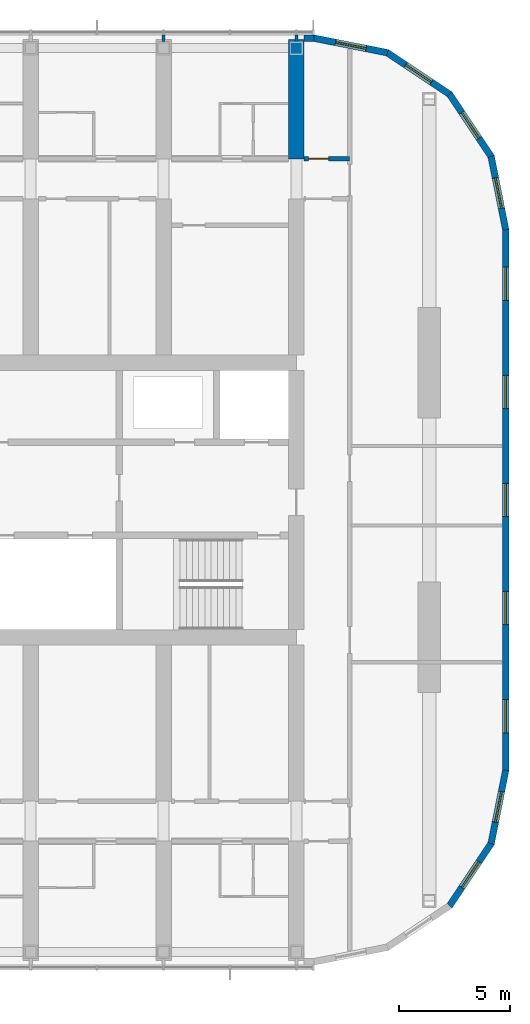
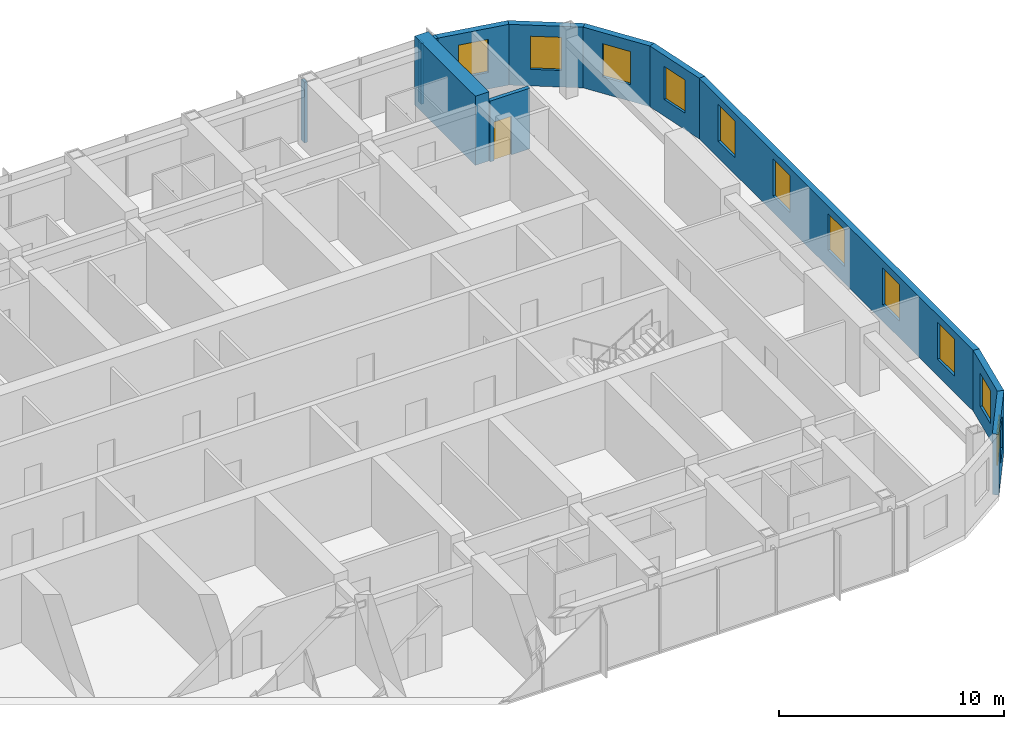
# One storey, part 18 of 23: 12 walls, 11 windows, 1 door, 12 openings.
"""IFC4 building model written with IfcOpenShell, lengths in metres."""

from ifc_helpers import new_model, si_unit, direction, frame, frame_2d, origin, place, context, subcontext, project, spatial, polyline, rectangle, outline, extrude, material, layer, layer_set, type_object, element, fill, save


model = new_model("IFC4")

# Units and contexts
model_context = context("Model", 3, precision=1e-05, world=origin(), true_north=direction((0.0, 1.0)))
body_context = subcontext(model_context, "Body", "Model", "MODEL_VIEW")
ifc_project = project(units=[si_unit("LENGTHUNIT", "METRE"), si_unit("AREAUNIT", "SQUARE_METRE"), si_unit("VOLUMEUNIT", "CUBIC_METRE"), si_unit("PLANEANGLEUNIT", "RADIAN"), si_unit("MASSUNIT", "GRAM", prefix="KILO")], contexts=[model_context])

# Site, building, storey
site_placement = place(None, origin())
site = spatial("IfcSite", under=ifc_project, at=site_placement, CompositionType="ELEMENT")
building_placement = place(site_placement, origin())
building = spatial("IfcBuilding", under=site, at=building_placement, Name="Orbita Commons", CompositionType="ELEMENT")
storey_placement = place(building_placement, frame((0.0, 0.0, 227.800048828125)))
storey = spatial("IfcBuildingStorey", under=building, at=storey_placement, Name="L56", CompositionType="ELEMENT", Elevation=227.800048828125)

# Wall, opening, door
ifc_material_1 = material(Name="Concrete blockwork", Category="masonry")
ifc_layer_1 = layer(ifc_material_1, 0.199951171875)
ifc_layer_set_1 = layer_set([ifc_layer_1], Name="Concrete blockwork")
wall_type_1 = type_object("IfcWallType", Name="Corridor wall 200 blockwork", PredefinedType="SOLIDWALL", material=ifc_layer_set_1)
wall_1_placement = place(storey_placement, frame((66.35009765625, 47.39990234375, 0.0), z_axis=(0.0, 0.0, 1.0), x_axis=(1.0, 0.0, 0.0)))
wall_1 = element("IfcWall", 1, at=wall_1_placement, inside=storey, type_object=wall_type_1, Name="Corridor wall 200 blockwork L56", PredefinedType="SOLIDWALL", context=body_context, shape_type="SweptSolid", body=[
    extrude(rectangle(XDim=2.0498046875, YDim=0.199951171875, at=frame_2d((1.02490234375, 0.0))), origin(), (0.0, 0.0, 1.0), 3.300048828125),
])
opening_1_placement = place(wall_1_placement, frame((0.199951171875, 0.0, 0.0)))
opening_1 = element("IfcOpeningElement", 2, at=opening_1_placement, cuts=wall_1, Name="Opening D05", PredefinedType="OPENING", context=body_context, shape_type="SweptSolid", body=[
    extrude(rectangle(XDim=0.89990234375, YDim=2.10009765625, at=frame_2d((0.449951171875, 1.050048828125))), frame((0.0, 0.10986328125, 0.0), z_axis=(0.0, -1.0, 0.0), x_axis=(1.0, 0.0, 0.0)), (0.0, 0.0, 1.0), 0.219970703125),
])
ifc_material_2 = material(Name="Steel-faced fire door leaf", Category="steel")
door_type = type_object("IfcDoorType", Name="Service door 20 min 900x2100", OperationType="SINGLE_SWING_LEFT", PredefinedType="DOOR", material=ifc_material_2)
door_placement = place(opening_1_placement, origin())
door = element("IfcDoor", 3, at=door_placement, inside=storey, type_object=door_type, Name="Linen store L56-KEN door", OperationType="SINGLE_SWING_LEFT", OverallHeight=2.10009765625, OverallWidth=0.89990234375, PredefinedType="DOOR", context=body_context, shape_type="SweptSolid", body=[
    extrude(rectangle(XDim=0.89990234375, YDim=2.10009765625, at=frame_2d((0.449951171875, 1.050048828125))), frame((0.0, 0.02490234375, 0.0), z_axis=(0.0, -1.0, 0.0), x_axis=(1.0, 0.0, 0.0)), (0.0, 0.0, 1.0), 0.050048828125),
])
fill(opening_1, door)

# Walls
ifc_material_3 = material(Name="Concrete C50/60", Category="concrete")
ifc_layer_2 = layer(ifc_material_3, 0.699951171875)
ifc_layer_set_2 = layer_set([ifc_layer_2], Name="Concrete C50/60")
wall_type_2 = type_object("IfcWallType", Name="Cross wall 700 C50/60", PredefinedType="SHEAR", material=ifc_layer_set_2)
wall_2_placement = place(storey_placement, frame((66.0, 47.39990234375, 0.0), z_axis=(0.0, 0.0, 1.0), x_axis=(0.0, 1.0, 0.0)))
element("IfcWall", 4, at=wall_2_placement, inside=storey, type_object=wall_type_2, Name="Cross wall 12 north outer L56", PredefinedType="SHEAR", context=body_context, shape_type="SweptSolid", body=[
    extrude(rectangle(XDim=5.400146484375, YDim=0.699951171875, at=frame_2d((2.7001953125, 0.0))), origin(), (0.0, 0.0, 1.0), 3.75),
])
ifc_material_4 = material(Name="Gypsum plasterboard on steel studs", Category="steel")
ifc_layer_3 = layer(ifc_material_4, 0.14990234375)
ifc_layer_set_3 = layer_set([ifc_layer_3], Name="Gypsum plasterboard on steel studs")
wall_type_3 = type_object("IfcWallType", Name="Partition 150 plasterboard", PredefinedType="PARTITIONING", material=ifc_layer_set_3)
for number, where, z_axis, x_axis, name in (
    (5, (60.0, 52.699951171875, 0.0), (0.0, 0.0, 1.0), (0.0, 1.0, 0.0), "Partition 150 plasterboard L56"),
    (6, (66.0, 52.699951171875, 0.0), (0.0, 0.0, 1.0), (0.0, 1.0, 0.0), "Partition 150 plasterboard L56"),
):
    element("IfcWall", number, at=place(storey_placement, frame(where, z_axis=z_axis, x_axis=x_axis)), inside=storey, type_object=wall_type_3, Name=name, PredefinedType="PARTITIONING", context=body_context, shape_type="SweptSolid", body=[
        extrude(rectangle(XDim=0.2900390625, YDim=0.14990234375, at=frame_2d((0.14501953125, 0.0))), origin(), (0.0, 0.0, 1.0), 3.300048828125),
    ])

# Wall, openings, windows
ifc_material_5 = material(Name="Precast concrete C40/50, white board-marked finish", Category="concrete")
ifc_layer_4 = layer(ifc_material_5, 0.300048828125)
ifc_layer_set_4 = layer_set([ifc_layer_4], Name="Precast concrete C40/50, white board-marked finish")
wall_type_4 = type_object("IfcWallType", Name="Precast concrete end shield 300", PredefinedType="SOLIDWALL", material=ifc_layer_set_4)
wall_3_placement = place(storey_placement, frame((75.449951171875, 19.800048828125, 0.0), z_axis=(0.0, 0.0, 1.0), x_axis=(0.0, 1.0, 0.0)))
wall_3 = element("IfcWall", 7, at=wall_3_placement, inside=storey, type_object=wall_type_4, Name="End shield E L56", PredefinedType="SOLIDWALL", context=body_context, shape_type="SweptSolid", body=[
    extrude(outline(polyline([(-0.014892578125, -0.14990234375), (24.414794921875, -0.14990234375), (24.385009765625, 0.14990234375), (0.014892578125, 0.14990234375), (-0.014892578125, -0.14990234375)])), origin(), (0.0, 0.0, 1.0), 3.300048828125),
])
opening_2_placement = place(wall_3_placement, frame((1.68994140625, 0.0, 0.89990234375)))
opening_2 = element("IfcOpeningElement", 8, at=opening_2_placement, cuts=wall_3, Name="Opening W01", PredefinedType="OPENING", context=body_context, shape_type="SweptSolid", body=[
    extrude(rectangle(XDim=1.5, YDim=2.0, at=frame_2d((0.75, 1.0))), frame((0.0, 0.159912109375, 0.0), z_axis=(0.0, -1.0, 0.0), x_axis=(1.0, 0.0, 0.0)), (0.0, 0.0, 1.0), 0.320068359375),
])
opening_3_placement = place(wall_3_placement, frame((6.570068359375, 0.0, 0.89990234375)))
opening_3 = element("IfcOpeningElement", 9, at=opening_3_placement, cuts=wall_3, Name="Opening W01", PredefinedType="OPENING", context=body_context, shape_type="SweptSolid", body=[
    extrude(rectangle(XDim=1.5, YDim=2.0, at=frame_2d((0.75, 1.0))), frame((0.0, 0.159912109375, 0.0), z_axis=(0.0, -1.0, 0.0), x_axis=(1.0, 0.0, 0.0)), (0.0, 0.0, 1.0), 0.320068359375),
])
opening_4_placement = place(wall_3_placement, frame((11.449951171875, 0.0, 0.89990234375)))
opening_4 = element("IfcOpeningElement", 10, at=opening_4_placement, cuts=wall_3, Name="Opening W01", PredefinedType="OPENING", context=body_context, shape_type="SweptSolid", body=[
    extrude(rectangle(XDim=1.5, YDim=2.0, at=frame_2d((0.75, 1.0))), frame((0.0, 0.159912109375, 0.0), z_axis=(0.0, -1.0, 0.0), x_axis=(1.0, 0.0, 0.0)), (0.0, 0.0, 1.0), 0.320068359375),
])
opening_5_placement = place(wall_3_placement, frame((16.330078125, 0.0, 0.89990234375)))
opening_5 = element("IfcOpeningElement", 11, at=opening_5_placement, cuts=wall_3, Name="Opening W01", PredefinedType="OPENING", context=body_context, shape_type="SweptSolid", body=[
    extrude(rectangle(XDim=1.5, YDim=2.0, at=frame_2d((0.75, 1.0))), frame((0.0, 0.159912109375, 0.0), z_axis=(0.0, -1.0, 0.0), x_axis=(1.0, 0.0, 0.0)), (0.0, 0.0, 1.0), 0.320068359375),
])
opening_6_placement = place(wall_3_placement, frame((21.2099609375, 0.0, 0.89990234375)))
opening_6 = element("IfcOpeningElement", 12, at=opening_6_placement, cuts=wall_3, Name="Opening W01", PredefinedType="OPENING", context=body_context, shape_type="SweptSolid", body=[
    extrude(rectangle(XDim=1.5, YDim=2.0, at=frame_2d((0.75, 1.0))), frame((0.0, 0.159912109375, 0.0), z_axis=(0.0, -1.0, 0.0), x_axis=(1.0, 0.0, 0.0)), (0.0, 0.0, 1.0), 0.320068359375),
])
ifc_material_6 = material(Name="Aluminium frame, clear double glazing", Category="aluminium")
window_type_1 = type_object("IfcWindowType", Name="Deep-set window 1500x2000", PartitioningType="SINGLE_PANEL", PredefinedType="WINDOW", material=ifc_material_6)
window_1_placement = place(opening_2_placement, origin())
window_1 = element("IfcWindow", 13, at=window_1_placement, inside=storey, type_object=window_type_1, Name="Window L56-E 1", OverallHeight=2.0, OverallWidth=1.5, PartitioningType="SINGLE_PANEL", PredefinedType="WINDOW", context=body_context, shape_type="SweptSolid", body=[
    extrude(rectangle(XDim=1.5, YDim=2.0, at=frame_2d((0.75, 1.0))), frame((0.0, 0.030029296875, 0.0), z_axis=(0.0, -1.0, 0.0), x_axis=(1.0, 0.0, 0.0)), (0.0, 0.0, 1.0), 0.06005859375),
])
fill(opening_2, window_1)
window_2_placement = place(opening_3_placement, origin())
window_2 = element("IfcWindow", 14, at=window_2_placement, inside=storey, type_object=window_type_1, Name="Window L56-E 2", OverallHeight=2.0, OverallWidth=1.5, PartitioningType="SINGLE_PANEL", PredefinedType="WINDOW", context=body_context, shape_type="SweptSolid", body=[
    extrude(rectangle(XDim=1.5, YDim=2.0, at=frame_2d((0.75, 1.0))), frame((0.0, 0.030029296875, 0.0), z_axis=(0.0, -1.0, 0.0), x_axis=(1.0, 0.0, 0.0)), (0.0, 0.0, 1.0), 0.06005859375),
])
fill(opening_3, window_2)
window_3_placement = place(opening_4_placement, origin())
window_3 = element("IfcWindow", 15, at=window_3_placement, inside=storey, type_object=window_type_1, Name="Window L56-E 3", OverallHeight=2.0, OverallWidth=1.5, PartitioningType="SINGLE_PANEL", PredefinedType="WINDOW", context=body_context, shape_type="SweptSolid", body=[
    extrude(rectangle(XDim=1.5, YDim=2.0, at=frame_2d((0.75, 1.0))), frame((0.0, 0.030029296875, 0.0), z_axis=(0.0, -1.0, 0.0), x_axis=(1.0, 0.0, 0.0)), (0.0, 0.0, 1.0), 0.06005859375),
])
fill(opening_4, window_3)
window_4_placement = place(opening_5_placement, origin())
window_4 = element("IfcWindow", 16, at=window_4_placement, inside=storey, type_object=window_type_1, Name="Window L56-E 4", OverallHeight=2.0, OverallWidth=1.5, PartitioningType="SINGLE_PANEL", PredefinedType="WINDOW", context=body_context, shape_type="SweptSolid", body=[
    extrude(rectangle(XDim=1.5, YDim=2.0, at=frame_2d((0.75, 1.0))), frame((0.0, 0.030029296875, 0.0), z_axis=(0.0, -1.0, 0.0), x_axis=(1.0, 0.0, 0.0)), (0.0, 0.0, 1.0), 0.06005859375),
])
fill(opening_5, window_4)
window_5_placement = place(opening_6_placement, origin())
window_5 = element("IfcWindow", 17, at=window_5_placement, inside=storey, type_object=window_type_1, Name="Window L56-E 5", OverallHeight=2.0, OverallWidth=1.5, PartitioningType="SINGLE_PANEL", PredefinedType="WINDOW", context=body_context, shape_type="SweptSolid", body=[
    extrude(rectangle(XDim=1.5, YDim=2.0, at=frame_2d((0.75, 1.0))), frame((0.0, 0.030029296875, 0.0), z_axis=(0.0, -1.0, 0.0), x_axis=(1.0, 0.0, 0.0)), (0.0, 0.0, 1.0), 0.06005859375),
])
fill(opening_6, window_5)

# Wall, opening, window
wall_4_placement = place(storey_placement, frame((72.91650390625, 13.68359375, 0.0), z_axis=(0.0, 0.0, 1.0), x_axis=(0.555567969291, 0.831471124873, 0.0)))
wall_4 = element("IfcWall", 18, at=wall_4_placement, inside=storey, type_object=wall_type_4, Name="End shield SE chord 3 L56", PredefinedType="SOLIDWALL", context=body_context, shape_type="SweptSolid", body=[
    extrude(outline(polyline([(-0.02978515625, -0.14990234375), (3.40478515625, -0.14990234375), (3.34521484375, 0.14990234375), (0.02978515625, 0.14990234375), (-0.02978515625, -0.14990234375)])), origin(), (0.0, 0.0, 1.0), 3.300048828125),
])
opening_7_placement = place(wall_4_placement, frame((0.987548828125, 0.0, 0.89990234375)))
opening_7 = element("IfcOpeningElement", 19, at=opening_7_placement, cuts=wall_4, Name="Opening W02", PredefinedType="OPENING", context=body_context, shape_type="SweptSolid", body=[
    extrude(rectangle(XDim=1.39990234375, YDim=1.800048828125, at=frame_2d((0.699951171875, 0.89990234375))), frame((0.0, 0.159912109375, 0.0), z_axis=(0.0, -1.0, 0.0), x_axis=(1.0, 0.0, 0.0)), (0.0, 0.0, 1.0), 0.320068359375),
])
ifc_material_7 = material(Name="Aluminium frame, clear double glazing", Category="aluminium")
window_type_2 = type_object("IfcWindowType", Name="Deep-set window 1400x1800", PartitioningType="SINGLE_PANEL", PredefinedType="WINDOW", material=ifc_material_7)
window_6_placement = place(opening_7_placement, origin())
window_6 = element("IfcWindow", 20, at=window_6_placement, inside=storey, type_object=window_type_2, Name="Window L56-SE2", OverallHeight=1.800048828125, OverallWidth=1.39990234375, PartitioningType="SINGLE_PANEL", PredefinedType="WINDOW", context=body_context, shape_type="SweptSolid", body=[
    extrude(rectangle(XDim=1.39990234375, YDim=1.800048828125, at=frame_2d((0.699951171875, 0.89990234375))), frame((0.0, 0.030029296875, 0.0), z_axis=(0.0, -1.0, 0.0), x_axis=(1.0, 0.0, 0.0)), (0.0, 0.0, 1.0), 0.06005859375),
])
fill(opening_7, window_6)

wall_5_placement = place(storey_placement, frame((74.79150390625, 16.48974609375, 0.0), z_axis=(0.0, 0.0, 1.0), x_axis=(0.19508664885, 0.980786011034, 0.0)))
wall_5 = element("IfcWall", 21, at=wall_5_placement, inside=storey, type_object=wall_type_4, Name="End shield SE chord 4 L56", PredefinedType="SOLIDWALL", context=body_context, shape_type="SweptSolid", body=[
    extrude(outline(polyline([(-0.02978515625, -0.14990234375), (3.39013671875, -0.14990234375), (3.3603515625, 0.14990234375), (0.02978515625, 0.14990234375), (-0.02978515625, -0.14990234375)])), origin(), (0.0, 0.0, 1.0), 3.300048828125),
])
opening_8_placement = place(wall_5_placement, frame((0.987548828125, 0.0, 0.89990234375)))
opening_8 = element("IfcOpeningElement", 22, at=opening_8_placement, cuts=wall_5, Name="Opening W02", PredefinedType="OPENING", context=body_context, shape_type="SweptSolid", body=[
    extrude(rectangle(XDim=1.39990234375, YDim=1.800048828125, at=frame_2d((0.699951171875, 0.89990234375))), frame((0.0, 0.159912109375, 0.0), z_axis=(0.0, -1.0, 0.0), x_axis=(1.0, 0.0, 0.0)), (0.0, 0.0, 1.0), 0.320068359375),
])
window_7_placement = place(opening_8_placement, origin())
window_7 = element("IfcWindow", 23, at=window_7_placement, inside=storey, type_object=window_type_2, Name="Window L56-SE3", OverallHeight=1.800048828125, OverallWidth=1.39990234375, PartitioningType="SINGLE_PANEL", PredefinedType="WINDOW", context=body_context, shape_type="SweptSolid", body=[
    extrude(rectangle(XDim=1.39990234375, YDim=1.800048828125, at=frame_2d((0.699951171875, 0.89990234375))), frame((0.0, 0.030029296875, 0.0), z_axis=(0.0, -1.0, 0.0), x_axis=(1.0, 0.0, 0.0)), (0.0, 0.0, 1.0), 0.06005859375),
])
fill(opening_8, window_7)

wall_6_placement = place(storey_placement, frame((75.449951171875, 44.199951171875, 0.0), z_axis=(0.0, 0.0, 1.0), x_axis=(-0.19508664885, 0.980786011034, 0.0)))
wall_6 = element("IfcWall", 24, at=wall_6_placement, inside=storey, type_object=wall_type_4, Name="End shield NE chord 1 L56", PredefinedType="SOLIDWALL", context=body_context, shape_type="SweptSolid", body=[
    extrude(outline(polyline([(-0.014892578125, -0.14990234375), (3.405029296875, -0.14990234375), (3.345458984375, 0.14990234375), (0.014892578125, 0.14990234375), (-0.014892578125, -0.14990234375)])), origin(), (0.0, 0.0, 1.0), 3.300048828125),
])
opening_9_placement = place(wall_6_placement, frame((0.987548828125, 0.0, 0.89990234375)))
opening_9 = element("IfcOpeningElement", 25, at=opening_9_placement, cuts=wall_6, Name="Opening W02", PredefinedType="OPENING", context=body_context, shape_type="SweptSolid", body=[
    extrude(rectangle(XDim=1.39990234375, YDim=1.800048828125, at=frame_2d((0.699951171875, 0.89990234375))), frame((0.0, 0.159912109375, 0.0), z_axis=(0.0, -1.0, 0.0), x_axis=(1.0, 0.0, 0.0)), (0.0, 0.0, 1.0), 0.320068359375),
])
window_8_placement = place(opening_9_placement, origin())
window_8 = element("IfcWindow", 26, at=window_8_placement, inside=storey, type_object=window_type_2, Name="Window L56-NE0", OverallHeight=1.800048828125, OverallWidth=1.39990234375, PartitioningType="SINGLE_PANEL", PredefinedType="WINDOW", context=body_context, shape_type="SweptSolid", body=[
    extrude(rectangle(XDim=1.39990234375, YDim=1.800048828125, at=frame_2d((0.699951171875, 0.89990234375))), frame((0.0, 0.030029296875, 0.0), z_axis=(0.0, -1.0, 0.0), x_axis=(1.0, 0.0, 0.0)), (0.0, 0.0, 1.0), 0.06005859375),
])
fill(opening_9, window_8)

wall_7_placement = place(storey_placement, frame((74.79150390625, 47.51025390625, 0.0), z_axis=(0.0, 0.0, 1.0), x_axis=(-0.555567969291, 0.831471124873, 0.0)))
wall_7 = element("IfcWall", 27, at=wall_7_placement, inside=storey, type_object=wall_type_4, Name="End shield NE chord 2 L56", PredefinedType="SOLIDWALL", context=body_context, shape_type="SweptSolid", body=[
    extrude(outline(polyline([(-0.02978515625, -0.14990234375), (3.40478515625, -0.14990234375), (3.34521484375, 0.14990234375), (0.02978515625, 0.14990234375), (-0.02978515625, -0.14990234375)])), origin(), (0.0, 0.0, 1.0), 3.300048828125),
])
opening_10_placement = place(wall_7_placement, frame((0.987548828125, 0.0, 0.89990234375)))
opening_10 = element("IfcOpeningElement", 28, at=opening_10_placement, cuts=wall_7, Name="Opening W02", PredefinedType="OPENING", context=body_context, shape_type="SweptSolid", body=[
    extrude(rectangle(XDim=1.39990234375, YDim=1.800048828125, at=frame_2d((0.699951171875, 0.89990234375))), frame((0.0, 0.159912109375, 0.0), z_axis=(0.0, -1.0, 0.0), x_axis=(1.0, 0.0, 0.0)), (0.0, 0.0, 1.0), 0.320068359375),
])
window_9_placement = place(opening_10_placement, origin())
window_9 = element("IfcWindow", 29, at=window_9_placement, inside=storey, type_object=window_type_2, Name="Window L56-NE1", OverallHeight=1.800048828125, OverallWidth=1.39990234375, PartitioningType="SINGLE_PANEL", PredefinedType="WINDOW", context=body_context, shape_type="SweptSolid", body=[
    extrude(rectangle(XDim=1.39990234375, YDim=1.800048828125, at=frame_2d((0.699951171875, 0.89990234375))), frame((0.0, 0.030029296875, 0.0), z_axis=(0.0, -1.0, 0.0), x_axis=(1.0, 0.0, 0.0)), (0.0, 0.0, 1.0), 0.06005859375),
])
fill(opening_10, window_9)

wall_8_placement = place(storey_placement, frame((72.91650390625, 50.31640625, 0.0), z_axis=(0.0, 0.0, 1.0), x_axis=(-0.831460037396, 0.555584562613, 0.0)))
wall_8 = element("IfcWall", 30, at=wall_8_placement, inside=storey, type_object=wall_type_4, Name="End shield NE chord 3 L56", PredefinedType="SOLIDWALL", context=body_context, shape_type="SweptSolid", body=[
    extrude(outline(polyline([(-0.02978515625, -0.14990234375), (3.405029296875, -0.14990234375), (3.345458984375, 0.14990234375), (0.02978515625, 0.14990234375), (-0.02978515625, -0.14990234375)])), origin(), (0.0, 0.0, 1.0), 3.300048828125),
])
opening_11_placement = place(wall_8_placement, frame((0.987548828125, 0.0, 0.89990234375)))
opening_11 = element("IfcOpeningElement", 31, at=opening_11_placement, cuts=wall_8, Name="Opening W02", PredefinedType="OPENING", context=body_context, shape_type="SweptSolid", body=[
    extrude(rectangle(XDim=1.39990234375, YDim=1.800048828125, at=frame_2d((0.699951171875, 0.89990234375))), frame((0.0, 0.159912109375, 0.0), z_axis=(0.0, -1.0, 0.0), x_axis=(1.0, 0.0, 0.0)), (0.0, 0.0, 1.0), 0.320068359375),
])
window_10_placement = place(opening_11_placement, origin())
window_10 = element("IfcWindow", 32, at=window_10_placement, inside=storey, type_object=window_type_2, Name="Window L56-NE2", OverallHeight=1.800048828125, OverallWidth=1.39990234375, PartitioningType="SINGLE_PANEL", PredefinedType="WINDOW", context=body_context, shape_type="SweptSolid", body=[
    extrude(rectangle(XDim=1.39990234375, YDim=1.800048828125, at=frame_2d((0.699951171875, 0.89990234375))), frame((0.0, 0.030029296875, 0.0), z_axis=(0.0, -1.0, 0.0), x_axis=(1.0, 0.0, 0.0)), (0.0, 0.0, 1.0), 0.06005859375),
])
fill(opening_11, window_10)

wall_9_placement = place(storey_placement, frame((70.110107421875, 52.191650390625, 0.0), z_axis=(0.0, 0.0, 1.0), x_axis=(-0.98078325777, 0.195100490205, 0.0)))
wall_9 = element("IfcWall", 33, at=wall_9_placement, inside=storey, type_object=wall_type_4, Name="End shield NE chord 4 L56", PredefinedType="SOLIDWALL", context=body_context, shape_type="SweptSolid", body=[
    extrude(outline(polyline([(-0.02978515625, -0.14990234375), (3.40478515625, -0.14990234375), (3.34521484375, 0.14990234375), (0.02978515625, 0.14990234375), (-0.02978515625, -0.14990234375)])), origin(), (0.0, 0.0, 1.0), 3.300048828125),
])
opening_12_placement = place(wall_9_placement, frame((0.987548828125, 0.0, 0.89990234375)))
opening_12 = element("IfcOpeningElement", 34, at=opening_12_placement, cuts=wall_9, Name="Opening W02", PredefinedType="OPENING", context=body_context, shape_type="SweptSolid", body=[
    extrude(rectangle(XDim=1.39990234375, YDim=1.800048828125, at=frame_2d((0.699951171875, 0.89990234375))), frame((0.0, 0.159912109375, 0.0), z_axis=(0.0, -1.0, 0.0), x_axis=(1.0, 0.0, 0.0)), (0.0, 0.0, 1.0), 0.320068359375),
])
window_11_placement = place(opening_12_placement, origin())
window_11 = element("IfcWindow", 35, at=window_11_placement, inside=storey, type_object=window_type_2, Name="Window L56-NE3", OverallHeight=1.800048828125, OverallWidth=1.39990234375, PartitioningType="SINGLE_PANEL", PredefinedType="WINDOW", context=body_context, shape_type="SweptSolid", body=[
    extrude(rectangle(XDim=1.39990234375, YDim=1.800048828125, at=frame_2d((0.699951171875, 0.89990234375))), frame((0.0, 0.030029296875, 0.0), z_axis=(0.0, -1.0, 0.0), x_axis=(1.0, 0.0, 0.0)), (0.0, 0.0, 1.0), 0.06005859375),
])
fill(opening_12, window_11)

# Wall
wall_10_placement = place(storey_placement, frame((66.800048828125, 52.85009765625, 0.0), z_axis=(0.0, 0.0, 1.0), x_axis=(-1.0, 0.0, 0.0)))
element("IfcWall", 36, at=wall_10_placement, inside=storey, type_object=wall_type_4, Name="End shield NE closer L56", PredefinedType="SOLIDWALL", context=body_context, shape_type="SweptSolid", body=[
    extrude(rectangle(XDim=0.449951171875, YDim=0.300048828125, at=frame_2d((0.22509765625, 0.0))), origin(), (0.0, 0.0, 1.0), 3.300048828125),
])

save(model, "model.ifc")
